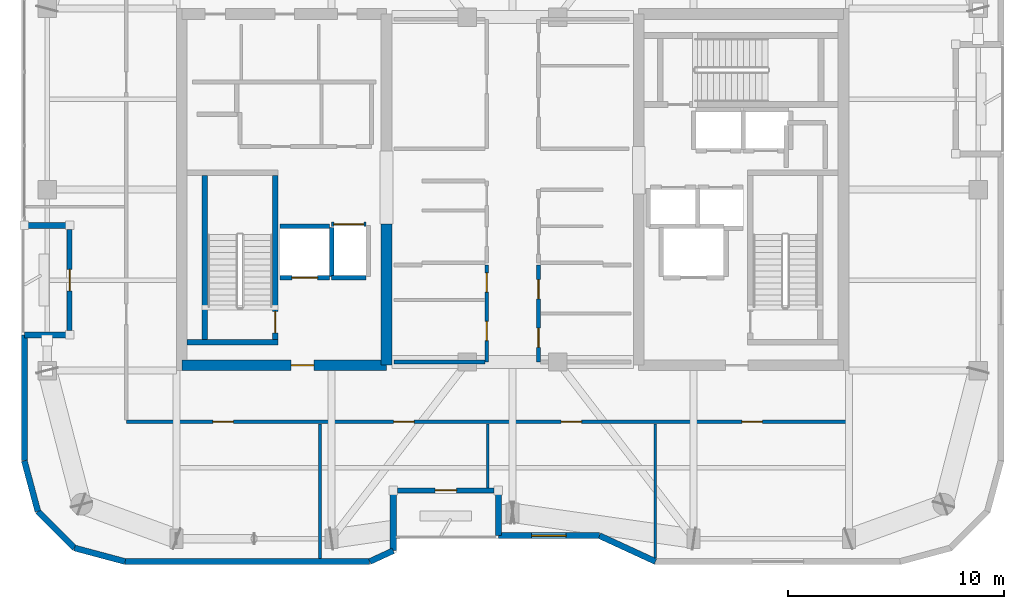
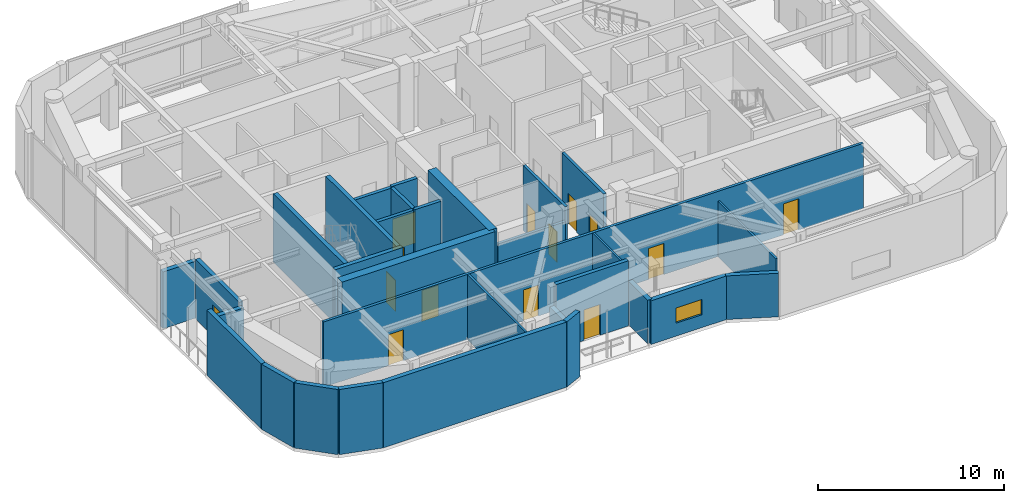
# One storey, part 10 of 16: 31 walls, 14 doors, 1 window, 15 openings.
"""IFC4 building model written with IfcOpenShell, lengths in metres."""

from ifc_helpers import new_model, si_unit, direction, frame, frame_2d, origin, place, context, subcontext, project, spatial, rectangle, extrude, material, layer, layer_set, type_object, element, fill, save


model = new_model("IFC4")

# Units and contexts
model_context = context("Model", 3, precision=1e-05, world=origin(), true_north=direction((0.0, 1.0)))
body_context = subcontext(model_context, "Body", "Model", "MODEL_VIEW")
ifc_project = project(units=[si_unit("LENGTHUNIT", "METRE"), si_unit("AREAUNIT", "SQUARE_METRE"), si_unit("VOLUMEUNIT", "CUBIC_METRE"), si_unit("PLANEANGLEUNIT", "RADIAN"), si_unit("MASSUNIT", "GRAM", prefix="KILO")], contexts=[model_context])

# Site, building, storey
site_placement = place(None, origin())
site = spatial("IfcSite", under=ifc_project, at=site_placement, CompositionType="ELEMENT")
building_placement = place(site_placement, origin())
building = spatial("IfcBuilding", under=site, at=building_placement, Name="Kiyonajd Concourse Tower", CompositionType="ELEMENT")
storey_placement = place(building_placement, frame((0.0, 0.0, 337.5)))
storey = spatial("IfcBuildingStorey", under=building, at=storey_placement, Name="L85", CompositionType="ELEMENT", Elevation=337.5)

# Wall
ifc_material_1 = material(Name="Concrete C60/75", Category="concrete")
ifc_layer_1 = layer(ifc_material_1, 0.5)
ifc_layer_set_1 = layer_set([ifc_layer_1], Name="Concrete C60/75")
wall_type_1 = type_object("IfcWallType", Name="WL-CORE-500", PredefinedType="SHEAR", material=ifc_layer_set_1)
wall_1_placement = place(storey_placement, frame((42.14990234375, 27.85009765625, 0.0), z_axis=(0.0, 0.0, 1.0), x_axis=(0.0, 1.0, 0.0)))
element("IfcWall", 1, at=wall_1_placement, inside=storey, type_object=wall_type_1, Name="L85 West Core Inner South Shear Wall", PredefinedType="SHEAR", context=body_context, shape_type="SweptSolid", body=[
    extrude(rectangle(XDim=6.5498046875, YDim=0.5, at=frame_2d((3.27490234375, 0.0))), origin(), (0.0, 0.0, 1.0), 4.5),
])

# Wall, opening, door
wall_2_placement = place(storey_placement, frame((32.64990234375, 27.85009765625, 0.0), z_axis=(0.0, 0.0, 1.0), x_axis=(1.0, 0.0, 0.0)))
wall_2 = element("IfcWall", 2, at=wall_2_placement, inside=storey, type_object=wall_type_1, Name="L85 West Core South Shear Wall", PredefinedType="SHEAR", context=body_context, shape_type="SweptSolid", body=[
    extrude(rectangle(XDim=9.5, YDim=0.5, at=frame_2d((4.75, 0.0))), origin(), (0.0, 0.0, 1.0), 4.5),
])
opening_1_placement = place(wall_2_placement, frame((5.074951171875, 0.0, 0.0)))
opening_1 = element("IfcOpeningElement", 3, at=opening_1_placement, cuts=wall_2, Name="Opening DF5", PredefinedType="OPENING", context=body_context, shape_type="SweptSolid", body=[
    extrude(rectangle(XDim=1.050048828125, YDim=2.0400390625, at=frame_2d((0.52490234375, 1.02001953125))), frame((0.0, 0.260009765625, 0.0), z_axis=(0.0, -1.0, 0.0), x_axis=(1.0, 0.0, 0.0)), (0.0, 0.0, 1.0), 0.52001953125),
])
ifc_material_2 = material(Name="Brushed Stainless Steel Cab Assembly", Category="steel")
door_type_1 = type_object("IfcDoorType", Name="DR-FD45-1050", OperationType="NOTDEFINED", PredefinedType="DOOR", material=ifc_material_2)
door_1_placement = place(opening_1_placement, origin())
door_1 = element("IfcDoor", 4, at=door_1_placement, inside=storey, type_object=door_type_1, Name="L85 Firefighting Lift Lobby W Smoke Door", OperationType="SINGLE_SWING_LEFT", OverallHeight=2.0400390625, OverallWidth=1.050048828125, PredefinedType="DOOR", context=body_context, shape_type="SweptSolid", body=[
    extrude(rectangle(XDim=1.050048828125, YDim=2.0400390625, at=frame_2d((0.52490234375, 1.02001953125))), frame((0.0, 0.02490234375, 0.0), z_axis=(0.0, -1.0, 0.0), x_axis=(1.0, 0.0, 0.0)), (0.0, 0.0, 1.0), 0.050048828125),
])
fill(opening_1, door_1)

# Walls
ifc_material_3 = material(Name="Precast concrete C50/60", Category="concrete")
ifc_layer_2 = layer(ifc_material_3, 0.280029296875)
ifc_layer_set_2 = layer_set([ifc_layer_2], Name="Precast concrete C50/60")
wall_type_2 = type_object("IfcWallType", Name="WL-EXT-280", PredefinedType="SOLIDWALL", material=ifc_layer_set_2)
wall_3_placement = place(storey_placement, frame((25.968505859375, 21.072509765625, 0.0), z_axis=(0.0, 0.0, 1.0), x_axis=(-0.258751159445, 0.965944013639, 0.0)))
element("IfcWall", 5, at=wall_3_placement, inside=storey, type_object=wall_type_2, Name="L85 Exterior Concrete Frame Wall 00", PredefinedType="SOLIDWALL", context=body_context, shape_type="SweptSolid", body=[
    extrude(rectangle(XDim=2.4287109375, YDim=0.280029296875, at=frame_2d((1.21435546875, 0.0))), origin(), (0.0, 0.0, 1.0), 4.280029296875),
])
wall_4_placement = place(storey_placement, frame((25.340087890625, 23.41845703125, 0.0), z_axis=(0.0, 0.0, 1.0), x_axis=(0.0, 1.0, 0.0)))
element("IfcWall", 6, at=wall_4_placement, inside=storey, type_object=wall_type_2, Name="L85 Exterior Concrete Frame Wall 01", PredefinedType="SOLIDWALL", context=body_context, shape_type="SweptSolid", body=[
    extrude(rectangle(XDim=5.841552734375, YDim=0.280029296875, at=frame_2d((2.9208984375, 0.0))), origin(), (0.0, 0.0, 1.0), 4.280029296875),
])
for number, where, z_axis, x_axis, name in (
    (7, (25.340087890625, 29.260009765625, 0.0), (0.0, 0.0, 1.0), (1.0, 0.0, 0.0), "L85 Exterior Concrete Frame Wall 02"),
    (8, (27.43994140625, 34.340087890625, 0.0), (0.0, 0.0, 1.0), (-1.0, 0.0, 0.0), "L85 Exterior Concrete Frame Wall 04"),
):
    element("IfcWall", number, at=place(storey_placement, frame(where, z_axis=z_axis, x_axis=x_axis)), inside=storey, type_object=wall_type_2, Name=name, PredefinedType="SOLIDWALL", context=body_context, shape_type="SweptSolid", body=[
        extrude(rectangle(XDim=2.099853515625, YDim=0.280029296875, at=frame_2d((1.0498046875, 0.0))), origin(), (0.0, 0.0, 1.0), 3.72607421875),
    ])
wall_5_placement = place(storey_placement, frame((54.630615234375, 18.739990234375, 0.0), z_axis=(0.0, 0.0, 1.0), x_axis=(-0.907956889006, 0.419063584324, 0.0)))
element("IfcWall", 9, at=wall_5_placement, inside=storey, type_object=wall_type_2, Name="L85 Exterior Concrete Frame Wall 29", PredefinedType="SOLIDWALL", context=body_context, shape_type="SweptSolid", body=[
    extrude(rectangle(XDim=2.863525390625, YDim=0.280029296875, at=frame_2d((1.431640625, 0.0))), origin(), (0.0, 0.0, 1.0), 2.864990234375),
])

# Wall, opening, window
wall_6_placement = place(storey_placement, frame((52.03076171875, 19.93994140625, 0.0), z_axis=(0.0, 0.0, 1.0), x_axis=(-1.0, 0.0, 0.0)))
wall_6 = element("IfcWall", 10, at=wall_6_placement, inside=storey, type_object=wall_type_2, Name="L85 Exterior Concrete Frame Wall 30", PredefinedType="SOLIDWALL", context=body_context, shape_type="SweptSolid", body=[
    extrude(rectangle(XDim=4.690673828125, YDim=0.280029296875, at=frame_2d((2.34521484375, 0.0))), origin(), (0.0, 0.0, 1.0), 2.864990234375),
])
opening_2_placement = place(wall_6_placement, frame((1.544921875, 0.0, 0.85009765625)))
opening_2 = element("IfcOpeningElement", 11, at=opening_2_placement, cuts=wall_6, Name="Opening WN6", PredefinedType="OPENING", context=body_context, shape_type="SweptSolid", body=[
    extrude(rectangle(XDim=1.60009765625, YDim=1.0, at=frame_2d((0.800048828125, 0.5))), frame((0.0, 0.14990234375, 0.0), z_axis=(0.0, -1.0, 0.0), x_axis=(1.0, 0.0, 0.0)), (0.0, 0.0, 1.0), 0.300048828125),
])
ifc_material_4 = material(Name="Double Low-E Insulated Glass", Category="glass")
window_type = type_object("IfcWindowType", Name="WN-VIS-1600x1000", PartitioningType="SINGLE_PANEL", PredefinedType="WINDOW", material=ifc_material_4)
window_placement = place(opening_2_placement, origin())
window = element("IfcWindow", 12, at=window_placement, inside=storey, type_object=window_type, Name="L85 Modular Facade Vision Window 30", OverallHeight=1.0, OverallWidth=1.60009765625, PartitioningType="SINGLE_PANEL", PredefinedType="WINDOW", context=body_context, shape_type="SweptSolid", body=[
    extrude(rectangle(XDim=1.60009765625, YDim=1.0, at=frame_2d((0.800048828125, 0.5))), frame((0.0, 0.030029296875, 0.0), z_axis=(0.0, -1.0, 0.0), x_axis=(1.0, 0.0, 0.0)), (0.0, 0.0, 1.0), 0.06005859375),
])
fill(opening_2, window)

# Walls
wall_7_placement = place(storey_placement, frame((47.340087890625, 19.93994140625, 0.0), z_axis=(0.0, 0.0, 1.0), x_axis=(0.0, 1.0, 0.0)))
element("IfcWall", 13, at=wall_7_placement, inside=storey, type_object=wall_type_2, Name="L85 Exterior Concrete Frame Wall 31", PredefinedType="SOLIDWALL", context=body_context, shape_type="SweptSolid", body=[
    extrude(rectangle(XDim=2.10009765625, YDim=0.280029296875, at=frame_2d((1.050048828125, 0.0))), origin(), (0.0, 0.0, 1.0), 2.864990234375),
])
wall_8_placement = place(storey_placement, frame((42.4599609375, 22.0400390625, 0.0), z_axis=(0.0, 0.0, 1.0), x_axis=(0.0, -1.0, 0.0)))
element("IfcWall", 14, at=wall_8_placement, inside=storey, type_object=wall_type_2, Name="L85 Exterior Concrete Frame Wall 33", PredefinedType="SOLIDWALL", context=body_context, shape_type="SweptSolid", body=[
    extrude(rectangle(XDim=2.79638671875, YDim=0.280029296875, at=frame_2d((1.398193359375, 0.0))), origin(), (0.0, 0.0, 1.0), 2.864990234375),
])
wall_9_placement = place(storey_placement, frame((42.4599609375, 19.24365234375, 0.0), z_axis=(0.0, 0.0, 1.0), x_axis=(-0.907893953211, -0.419199916176, 0.0)))
element("IfcWall", 15, at=wall_9_placement, inside=storey, type_object=wall_type_2, Name="L85 Exterior Concrete Frame Wall 34", PredefinedType="SOLIDWALL", context=body_context, shape_type="SweptSolid", body=[
    extrude(rectangle(XDim=1.201416015625, YDim=0.280029296875, at=frame_2d((0.6005859375, 0.0))), origin(), (0.0, 0.0, 1.0), 4.280029296875),
])
wall_10_placement = place(storey_placement, frame((41.369140625, 18.739990234375, 0.0), z_axis=(0.0, 0.0, 1.0), x_axis=(-1.0, 0.0, 0.0)))
element("IfcWall", 16, at=wall_10_placement, inside=storey, type_object=wall_type_2, Name="L85 Exterior Concrete Frame Wall 35", PredefinedType="SOLIDWALL", context=body_context, shape_type="SweptSolid", body=[
    extrude(rectangle(XDim=11.350830078125, YDim=0.280029296875, at=frame_2d((5.67529296875, 0.0))), origin(), (0.0, 0.0, 1.0), 4.280029296875),
])
wall_11_placement = place(storey_placement, frame((30.018310546875, 18.739990234375, 0.0), z_axis=(0.0, 0.0, 1.0), x_axis=(-0.965937282298, 0.25877628691, 0.0)))
element("IfcWall", 17, at=wall_11_placement, inside=storey, type_object=wall_type_2, Name="L85 Exterior Concrete Frame Wall 36", PredefinedType="SOLIDWALL", context=body_context, shape_type="SweptSolid", body=[
    extrude(rectangle(XDim=2.428466796875, YDim=0.280029296875, at=frame_2d((1.21435546875, 0.0))), origin(), (0.0, 0.0, 1.0), 4.280029296875),
])
wall_12_placement = place(storey_placement, frame((27.672607421875, 19.368408203125, 0.0), z_axis=(0.0, 0.0, 1.0), x_axis=(-0.707106781187, 0.707106781187, 0.0)))
element("IfcWall", 18, at=wall_12_placement, inside=storey, type_object=wall_type_2, Name="L85 Exterior Concrete Frame Wall 37", PredefinedType="SOLIDWALL", context=body_context, shape_type="SweptSolid", body=[
    extrude(rectangle(XDim=2.409912109375, YDim=0.280029296875, at=frame_2d((1.205078125, 0.0))), origin(), (0.0, 0.0, 1.0), 4.280029296875),
])

# Wall, opening, door
ifc_layer_3 = layer(ifc_material_3, 0.239990234375)
ifc_layer_set_3 = layer_set([ifc_layer_3], Name="Precast concrete C50/60")
wall_type_3 = type_object("IfcWallType", Name="WL-LOG-240", PredefinedType="SOLIDWALL", material=ifc_layer_set_3)
wall_13_placement = place(storey_placement, frame((27.43994140625, 29.455078125, 0.0), z_axis=(0.0, 0.0, 1.0), x_axis=(0.0, 1.0, 0.0)))
wall_13 = element("IfcWall", 19, at=wall_13_placement, inside=storey, type_object=wall_type_3, Name="L85 Recessed Loggia Thermal Wall LOG-W", PredefinedType="SOLIDWALL", context=body_context, shape_type="SweptSolid", body=[
    extrude(rectangle(XDim=4.68994140625, YDim=0.239990234375, at=frame_2d((2.344970703125, 0.0))), origin(), (0.0, 0.0, 1.0), 3.910888671875),
])
opening_3_placement = place(wall_13_placement, frame((1.844970703125, 0.0, 0.0)))
opening_3 = element("IfcOpeningElement", 20, at=opening_3_placement, cuts=wall_13, Name="Opening DL1", PredefinedType="OPENING", context=body_context, shape_type="SweptSolid", body=[
    extrude(rectangle(XDim=1.0, YDim=2.02001953125, at=frame_2d((0.5, 1.010009765625))), frame((0.0, 0.1298828125, 0.0), z_axis=(0.0, -1.0, 0.0), x_axis=(1.0, 0.0, 0.0)), (0.0, 0.0, 1.0), 0.260009765625),
])
ifc_material_5 = material(Name="Thermally Broken Anodised Aluminium", Category="aluminium")
door_type_2 = type_object("IfcDoorType", Name="DR-LOG-1000", OperationType="NOTDEFINED", PredefinedType="DOOR", material=ifc_material_5)
door_2_placement = place(opening_3_placement, origin())
door_2 = element("IfcDoor", 21, at=door_2_placement, inside=storey, type_object=door_type_2, Name="L85 Engawa Loggia Access Door LOG-W", OperationType="SINGLE_SWING_LEFT", OverallHeight=2.02001953125, OverallWidth=1.0, PredefinedType="DOOR", context=body_context, shape_type="SweptSolid", body=[
    extrude(rectangle(XDim=1.0, YDim=2.02001953125, at=frame_2d((0.5, 1.010009765625))), frame((0.0, 0.02490234375, 0.0), z_axis=(0.0, -1.0, 0.0), x_axis=(1.0, 0.0, 0.0)), (0.0, 0.0, 1.0), 0.050048828125),
])
fill(opening_3, door_2)

wall_14_placement = place(storey_placement, frame((47.14501953125, 22.0400390625, 0.0), z_axis=(0.0, 0.0, 1.0), x_axis=(-1.0, 0.0, 0.0)))
wall_14 = element("IfcWall", 22, at=wall_14_placement, inside=storey, type_object=wall_type_3, Name="L85 Recessed Loggia Thermal Wall LOG-S", PredefinedType="SOLIDWALL", context=body_context, shape_type="SweptSolid", body=[
    extrude(rectangle(XDim=4.489990234375, YDim=0.239990234375, at=frame_2d((2.2451171875, 0.0))), origin(), (0.0, 0.0, 1.0), 4.280029296875),
])
opening_4_placement = place(wall_14_placement, frame((1.7451171875, 0.0, 0.0)))
opening_4 = element("IfcOpeningElement", 23, at=opening_4_placement, cuts=wall_14, Name="Opening DL1", PredefinedType="OPENING", context=body_context, shape_type="SweptSolid", body=[
    extrude(rectangle(XDim=1.0, YDim=2.02001953125, at=frame_2d((0.5, 1.010009765625))), frame((0.0, 0.1298828125, 0.0), z_axis=(0.0, -1.0, 0.0), x_axis=(1.0, 0.0, 0.0)), (0.0, 0.0, 1.0), 0.260009765625),
])
door_3_placement = place(opening_4_placement, origin())
door_3 = element("IfcDoor", 24, at=door_3_placement, inside=storey, type_object=door_type_2, Name="L85 Engawa Loggia Access Door LOG-S", OperationType="SINGLE_SWING_RIGHT", OverallHeight=2.02001953125, OverallWidth=1.0, PredefinedType="DOOR", context=body_context, shape_type="SweptSolid", body=[
    extrude(rectangle(XDim=1.0, YDim=2.02001953125, at=frame_2d((0.5, 1.010009765625))), frame((0.0, 0.02490234375, 0.0), z_axis=(0.0, -1.0, 0.0), x_axis=(1.0, 0.0, 0.0)), (0.0, 0.0, 1.0), 0.050048828125),
])
fill(opening_4, door_3)

# Walls
ifc_material_6 = material(Name="Gypsum Board on Cold-Formed Steel Stud", Category="steel")
ifc_layer_4 = layer(ifc_material_6, 0.125)
ifc_layer_set_4 = layer_set([ifc_layer_4], Name="Gypsum Board on Cold-Formed Steel Stud")
wall_type_4 = type_object("IfcWallType", Name="WL-PART-125", PredefinedType="PARTITIONING", material=ifc_layer_set_4)
wall_15_placement = place(storey_placement, frame((39.06005859375, 18.875, 0.0), z_axis=(0.0, 0.0, 1.0), x_axis=(0.0, 1.0, 0.0)))
element("IfcWall", 25, at=wall_15_placement, inside=storey, type_object=wall_type_4, Name="L85 Interior Partition Wall", PredefinedType="PARTITIONING", context=body_context, shape_type="SweptSolid", body=[
    extrude(rectangle(XDim=6.258056640625, YDim=0.125, at=frame_2d((3.12890625, 0.0))), origin(), (0.0, 0.0, 1.0), 4.280029296875),
])
wall_16_placement = place(storey_placement, frame((46.840087890625, 22.155029296875, 0.0), z_axis=(0.0, 0.0, 1.0), x_axis=(0.0, 1.0, 0.0)))
element("IfcWall", 26, at=wall_16_placement, inside=storey, type_object=wall_type_4, Name="L85 Interior Partition Wall", PredefinedType="PARTITIONING", context=body_context, shape_type="SweptSolid", body=[
    extrude(rectangle(XDim=2.97802734375, YDim=0.125, at=frame_2d((1.489013671875, 0.0))), origin(), (0.0, 0.0, 1.0), 4.280029296875),
])
wall_17_placement = place(storey_placement, frame((54.6201171875, 18.89501953125, 0.0), z_axis=(0.0, 0.0, 1.0), x_axis=(0.0, 1.0, 0.0)))
element("IfcWall", 27, at=wall_17_placement, inside=storey, type_object=wall_type_4, Name="L85 Interior Partition Wall", PredefinedType="PARTITIONING", context=body_context, shape_type="SweptSolid", body=[
    extrude(rectangle(XDim=6.238037109375, YDim=0.125, at=frame_2d((3.119140625, 0.0))), origin(), (0.0, 0.0, 1.0), 3.64306640625),
])

# Wall, opening, door
ifc_layer_5 = layer(ifc_material_6, 0.2099609375)
ifc_layer_set_5 = layer_set([ifc_layer_5], Name="Gypsum Board on Cold-Formed Steel Stud")
wall_type_5 = type_object("IfcWallType", Name="WL-SHAFT-210", PredefinedType="PARTITIONING", material=ifc_layer_set_5)
wall_18_placement = place(storey_placement, frame((37.199951171875, 31.89990234375, 0.0), z_axis=(0.0, 0.0, 1.0), x_axis=(1.0, 0.0, 0.0)))
wall_18 = element("IfcWall", 28, at=wall_18_placement, inside=storey, type_object=wall_type_5, Name="L85 Shaft Enclosure Wall", PredefinedType="PARTITIONING", context=body_context, shape_type="SweptSolid", body=[
    extrude(rectangle(XDim=2.300048828125, YDim=0.2099609375, at=frame_2d((1.14990234375, 0.0))), origin(), (0.0, 0.0, 1.0), 4.280029296875),
])
opening_5_placement = place(wall_18_placement, frame((0.550048828125, 0.0, 0.0)))
opening_5 = element("IfcOpeningElement", 29, at=opening_5_placement, cuts=wall_18, Name="Opening LD2", PredefinedType="OPENING", context=body_context, shape_type="SweptSolid", body=[
    extrude(rectangle(XDim=1.199951171875, YDim=2.0400390625, at=frame_2d((0.60009765625, 1.02001953125))), frame((0.0, 0.114990234375, 0.0), z_axis=(0.0, -1.0, 0.0), x_axis=(1.0, 0.0, 0.0)), (0.0, 0.0, 1.0), 0.22998046875),
])
door_type_3 = type_object("IfcDoorType", Name="DR-LD-1200", OperationType="DOUBLE_DOOR_SLIDING", PredefinedType="DOOR", material=ifc_material_2)
door_4_placement = place(opening_5_placement, origin())
door_4 = element("IfcDoor", 30, at=door_4_placement, inside=storey, type_object=door_type_3, Name="L85 Lift FFL1 Sliding Landing Door", OperationType="DOUBLE_DOOR_SLIDING", OverallHeight=2.0400390625, OverallWidth=1.199951171875, PredefinedType="DOOR", context=body_context, shape_type="SweptSolid", body=[
    extrude(rectangle(XDim=1.199951171875, YDim=2.0400390625, at=frame_2d((0.60009765625, 1.02001953125))), frame((0.0, 0.02490234375, 0.0), z_axis=(0.0, -1.0, 0.0), x_axis=(1.0, 0.0, 0.0)), (0.0, 0.0, 1.0), 0.050048828125),
])
fill(opening_5, door_4)

# Walls
wall_19_placement = place(storey_placement, frame((37.199951171875, 34.300048828125, 0.0), z_axis=(0.0, 0.0, 1.0), x_axis=(1.0, 0.0, 0.0)))
element("IfcWall", 31, at=wall_19_placement, inside=storey, type_object=wall_type_5, Name="L85 Shaft Enclosure Wall", PredefinedType="PARTITIONING", context=body_context, shape_type="SweptSolid", body=[
    extrude(rectangle(XDim=2.300048828125, YDim=0.2099609375, at=frame_2d((1.14990234375, 0.0))), origin(), (0.0, 0.0, 1.0), 4.280029296875),
])
wall_20_placement = place(storey_placement, frame((39.60009765625, 31.9599609375, 0.0), z_axis=(0.0, 0.0, 1.0), x_axis=(0.0, 1.0, 0.0)))
element("IfcWall", 32, at=wall_20_placement, inside=storey, type_object=wall_type_5, Name="L85 Shaft Enclosure Wall", PredefinedType="PARTITIONING", context=body_context, shape_type="SweptSolid", body=[
    extrude(rectangle(XDim=2.280029296875, YDim=0.2099609375, at=frame_2d((1.14013671875, 0.0))), origin(), (0.0, 0.0, 1.0), 4.280029296875),
])

# Wall, opening, door
wall_21_placement = place(storey_placement, frame((39.60009765625, 34.39990234375, 0.0), z_axis=(0.0, 0.0, 1.0), x_axis=(1.0, 0.0, 0.0)))
wall_21 = element("IfcWall", 33, at=wall_21_placement, inside=storey, type_object=wall_type_5, Name="L85 Shaft Enclosure Wall", PredefinedType="PARTITIONING", context=body_context, shape_type="SweptSolid", body=[
    extrude(rectangle(XDim=1.599853515625, YDim=0.2099609375, at=frame_2d((0.7998046875, 0.0))), origin(), (0.0, 0.0, 1.0), 4.280029296875),
])
opening_6_placement = place(wall_21_placement, frame((0.10009765625, 0.0, 0.0)))
opening_6 = element("IfcOpeningElement", 34, at=opening_6_placement, cuts=wall_21, Name="Opening LD3", PredefinedType="OPENING", context=body_context, shape_type="SweptSolid", body=[
    extrude(rectangle(XDim=1.39990234375, YDim=2.06005859375, at=frame_2d((0.699951171875, 1.030029296875))), frame((0.0, 0.114990234375, 0.0), z_axis=(0.0, -1.0, 0.0), x_axis=(1.0, 0.0, 0.0)), (0.0, 0.0, 1.0), 0.22998046875),
])
door_type_4 = type_object("IfcDoorType", Name="DR-LD-1400", OperationType="DOUBLE_DOOR_SLIDING", PredefinedType="DOOR", material=ifc_material_2)
door_5_placement = place(opening_6_placement, origin())
door_5 = element("IfcDoor", 35, at=door_5_placement, inside=storey, type_object=door_type_4, Name="L85 Lift SVL1 Sliding Landing Door", OperationType="DOUBLE_DOOR_SLIDING", OverallHeight=2.06005859375, OverallWidth=1.39990234375, PredefinedType="DOOR", context=body_context, shape_type="SweptSolid", body=[
    extrude(rectangle(XDim=1.39990234375, YDim=2.06005859375, at=frame_2d((0.699951171875, 1.030029296875))), frame((0.0, 0.02490234375, 0.0), z_axis=(0.0, -1.0, 0.0), x_axis=(1.0, 0.0, 0.0)), (0.0, 0.0, 1.0), 0.050048828125),
])
fill(opening_6, door_5)

# Wall
wall_22_placement = place(storey_placement, frame((39.60009765625, 31.89990234375, 0.0), z_axis=(0.0, 0.0, 1.0), x_axis=(1.0, 0.0, 0.0)))
element("IfcWall", 36, at=wall_22_placement, inside=storey, type_object=wall_type_5, Name="L85 Shaft Enclosure Wall", PredefinedType="PARTITIONING", context=body_context, shape_type="SweptSolid", body=[
    extrude(rectangle(XDim=1.599853515625, YDim=0.2099609375, at=frame_2d((0.7998046875, 0.0))), origin(), (0.0, 0.0, 1.0), 4.280029296875),
])

# Wall, openings, doors
ifc_layer_6 = layer(ifc_material_6, 0.169921875)
ifc_layer_set_6 = layer_set([ifc_layer_6], Name="Gypsum Board on Cold-Formed Steel Stud")
wall_type_6 = type_object("IfcWallType", Name="WL-SMK-170", PredefinedType="PARTITIONING", material=ifc_layer_set_6)
wall_23_placement = place(storey_placement, frame((46.800048828125, 28.0, 0.0), z_axis=(0.0, 0.0, 1.0), x_axis=(0.0, 1.0, 0.0)))
wall_23 = element("IfcWall", 37, at=wall_23_placement, inside=storey, type_object=wall_type_6, Name="L85 Interior Partition Wall", PredefinedType="PARTITIONING", context=body_context, shape_type="SweptSolid", body=[
    extrude(rectangle(XDim=4.5, YDim=0.169921875, at=frame_2d((2.25, 0.0))), origin(), (0.0, 0.0, 1.0), 4.280029296875),
])
opening_7_placement = place(wall_23_placement, frame((0.989990234375, 0.0, 0.0)))
opening_7 = element("IfcOpeningElement", 38, at=opening_7_placement, cuts=wall_23, Name="Opening DF4", PredefinedType="OPENING", context=body_context, shape_type="SweptSolid", body=[
    extrude(rectangle(XDim=0.89990234375, YDim=2.02001953125, at=frame_2d((0.449951171875, 1.010009765625))), frame((0.0, 0.094970703125, 0.0), z_axis=(0.0, -1.0, 0.0), x_axis=(1.0, 0.0, 0.0)), (0.0, 0.0, 1.0), 0.18994140625),
])
opening_8_placement = place(wall_23_placement, frame((3.239990234375, 0.0, 0.0)))
opening_8 = element("IfcOpeningElement", 39, at=opening_8_placement, cuts=wall_23, Name="Opening DF4", PredefinedType="OPENING", context=body_context, shape_type="SweptSolid", body=[
    extrude(rectangle(XDim=0.89990234375, YDim=2.02001953125, at=frame_2d((0.449951171875, 1.010009765625))), frame((0.0, 0.094970703125, 0.0), z_axis=(0.0, -1.0, 0.0), x_axis=(1.0, 0.0, 0.0)), (0.0, 0.0, 1.0), 0.18994140625),
])
door_type_5 = type_object("IfcDoorType", Name="DR-FD60-900", OperationType="NOTDEFINED", PredefinedType="DOOR", material=ifc_material_2)
door_6_placement = place(opening_7_placement, origin())
door_6 = element("IfcDoor", 40, at=door_6_placement, inside=storey, type_object=door_type_5, Name="L85 Interior Door", OperationType="SINGLE_SWING_LEFT", OverallHeight=2.02001953125, OverallWidth=0.89990234375, PredefinedType="DOOR", context=body_context, shape_type="SweptSolid", body=[
    extrude(rectangle(XDim=0.89990234375, YDim=2.02001953125, at=frame_2d((0.449951171875, 1.010009765625))), frame((0.0, 0.02490234375, 0.0), z_axis=(0.0, -1.0, 0.0), x_axis=(1.0, 0.0, 0.0)), (0.0, 0.0, 1.0), 0.050048828125),
])
fill(opening_7, door_6)
door_7_placement = place(opening_8_placement, origin())
door_7 = element("IfcDoor", 41, at=door_7_placement, inside=storey, type_object=door_type_5, Name="L85 Interior Door", OperationType="SINGLE_SWING_RIGHT", OverallHeight=2.02001953125, OverallWidth=0.89990234375, PredefinedType="DOOR", context=body_context, shape_type="SweptSolid", body=[
    extrude(rectangle(XDim=0.89990234375, YDim=2.02001953125, at=frame_2d((0.449951171875, 1.010009765625))), frame((0.0, 0.02490234375, 0.0), z_axis=(0.0, -1.0, 0.0), x_axis=(1.0, 0.0, 0.0)), (0.0, 0.0, 1.0), 0.050048828125),
])
fill(opening_8, door_7)

# Wall
wall_24_placement = place(storey_placement, frame((42.5, 28.0, 0.0), z_axis=(0.0, 0.0, 1.0), x_axis=(1.0, 0.0, 0.0)))
element("IfcWall", 42, at=wall_24_placement, inside=storey, type_object=wall_type_6, Name="L85 Interior Partition Wall", PredefinedType="PARTITIONING", context=body_context, shape_type="SweptSolid", body=[
    extrude(rectangle(XDim=4.212890625, YDim=0.169921875, at=frame_2d((2.1064453125, 0.0))), origin(), (0.0, 0.0, 1.0), 3.364990234375),
])

# Wall, openings, doors
wall_25_placement = place(storey_placement, frame((49.199951171875, 28.0, 0.0), z_axis=(0.0, 0.0, 1.0), x_axis=(0.0, 1.0, 0.0)))
wall_25 = element("IfcWall", 43, at=wall_25_placement, inside=storey, type_object=wall_type_6, Name="L85 Interior Partition Wall", PredefinedType="PARTITIONING", context=body_context, shape_type="SweptSolid", body=[
    extrude(rectangle(XDim=4.5, YDim=0.169921875, at=frame_2d((2.25, 0.0))), origin(), (0.0, 0.0, 1.0), 4.280029296875),
])
opening_9_placement = place(wall_25_placement, frame((0.675048828125, 0.0, 0.0)))
opening_9 = element("IfcOpeningElement", 44, at=opening_9_placement, cuts=wall_25, Name="Opening DI2", PredefinedType="OPENING", context=body_context, shape_type="SweptSolid", body=[
    extrude(rectangle(XDim=0.89990234375, YDim=2.02001953125, at=frame_2d((0.449951171875, 1.010009765625))), frame((0.0, 0.094970703125, 0.0), z_axis=(0.0, -1.0, 0.0), x_axis=(1.0, 0.0, 0.0)), (0.0, 0.0, 1.0), 0.18994140625),
])
opening_10_placement = place(wall_25_placement, frame((2.925048828125, 0.0, 0.0)))
opening_10 = element("IfcOpeningElement", 45, at=opening_10_placement, cuts=wall_25, Name="Opening DI2", PredefinedType="OPENING", context=body_context, shape_type="SweptSolid", body=[
    extrude(rectangle(XDim=0.89990234375, YDim=2.02001953125, at=frame_2d((0.449951171875, 1.010009765625))), frame((0.0, 0.094970703125, 0.0), z_axis=(0.0, -1.0, 0.0), x_axis=(1.0, 0.0, 0.0)), (0.0, 0.0, 1.0), 0.18994140625),
])
ifc_material_7 = material(Name="Natural Oak Acoustic Timber Veneer", Category="wood")
door_type_6 = type_object("IfcDoorType", Name="DR-INT-900", OperationType="NOTDEFINED", PredefinedType="DOOR", material=ifc_material_7)
door_8_placement = place(opening_9_placement, origin())
door_8 = element("IfcDoor", 46, at=door_8_placement, inside=storey, type_object=door_type_6, Name="L85 Interior Door", OperationType="SINGLE_SWING_LEFT", OverallHeight=2.02001953125, OverallWidth=0.89990234375, PredefinedType="DOOR", context=body_context, shape_type="SweptSolid", body=[
    extrude(rectangle(XDim=0.89990234375, YDim=2.02001953125, at=frame_2d((0.449951171875, 1.010009765625))), frame((0.0, 0.02490234375, 0.0), z_axis=(0.0, -1.0, 0.0), x_axis=(1.0, 0.0, 0.0)), (0.0, 0.0, 1.0), 0.050048828125),
])
fill(opening_9, door_8)
door_9_placement = place(opening_10_placement, origin())
door_9 = element("IfcDoor", 47, at=door_9_placement, inside=storey, type_object=door_type_6, Name="L85 Interior Door", OperationType="SINGLE_SWING_RIGHT", OverallHeight=2.02001953125, OverallWidth=0.89990234375, PredefinedType="DOOR", context=body_context, shape_type="SweptSolid", body=[
    extrude(rectangle(XDim=0.89990234375, YDim=2.02001953125, at=frame_2d((0.449951171875, 1.010009765625))), frame((0.0, 0.02490234375, 0.0), z_axis=(0.0, -1.0, 0.0), x_axis=(1.0, 0.0, 0.0)), (0.0, 0.0, 1.0), 0.050048828125),
])
fill(opening_10, door_9)

wall_26_placement = place(storey_placement, frame((30.074951171875, 25.219970703125, 0.0), z_axis=(0.0, 0.0, 1.0), x_axis=(1.0, 0.0, 0.0)))
wall_26 = element("IfcWall", 48, at=wall_26_placement, inside=storey, type_object=wall_type_6, Name="L85 Interior Partition Wall", PredefinedType="PARTITIONING", context=body_context, shape_type="SweptSolid", body=[
    extrude(rectangle(XDim=33.525146484375, YDim=0.169921875, at=frame_2d((16.7626953125, 0.0))), origin(), (0.0, 0.0, 1.0), 4.280029296875),
])
opening_11_placement = place(wall_26_placement, frame((4.01806640625, 0.0, 0.0)))
opening_11 = element("IfcOpeningElement", 49, at=opening_11_placement, cuts=wall_26, Name="Opening DI1", PredefinedType="OPENING", context=body_context, shape_type="SweptSolid", body=[
    extrude(rectangle(XDim=0.949951171875, YDim=2.0400390625, at=frame_2d((0.47509765625, 1.02001953125))), frame((0.0, 0.094970703125, 0.0), z_axis=(0.0, -1.0, 0.0), x_axis=(1.0, 0.0, 0.0)), (0.0, 0.0, 1.0), 0.18994140625),
])
opening_12_placement = place(wall_26_placement, frame((12.39990234375, 0.0, 0.0)))
opening_12 = element("IfcOpeningElement", 50, at=opening_12_placement, cuts=wall_26, Name="Opening DI1", PredefinedType="OPENING", context=body_context, shape_type="SweptSolid", body=[
    extrude(rectangle(XDim=0.949951171875, YDim=2.0400390625, at=frame_2d((0.47509765625, 1.02001953125))), frame((0.0, 0.094970703125, 0.0), z_axis=(0.0, -1.0, 0.0), x_axis=(1.0, 0.0, 0.0)), (0.0, 0.0, 1.0), 0.18994140625),
])
opening_13_placement = place(wall_26_placement, frame((20.179931640625, 0.0, 0.0)))
opening_13 = element("IfcOpeningElement", 51, at=opening_13_placement, cuts=wall_26, Name="Opening DI1", PredefinedType="OPENING", context=body_context, shape_type="SweptSolid", body=[
    extrude(rectangle(XDim=0.949951171875, YDim=2.0400390625, at=frame_2d((0.47509765625, 1.02001953125))), frame((0.0, 0.094970703125, 0.0), z_axis=(0.0, -1.0, 0.0), x_axis=(1.0, 0.0, 0.0)), (0.0, 0.0, 1.0), 0.18994140625),
])
opening_14_placement = place(wall_26_placement, frame((28.56005859375, 0.0, 0.0)))
opening_14 = element("IfcOpeningElement", 52, at=opening_14_placement, cuts=wall_26, Name="Opening DI1", PredefinedType="OPENING", context=body_context, shape_type="SweptSolid", body=[
    extrude(rectangle(XDim=0.949951171875, YDim=2.0400390625, at=frame_2d((0.47509765625, 1.02001953125))), frame((0.0, 0.094970703125, 0.0), z_axis=(0.0, -1.0, 0.0), x_axis=(1.0, 0.0, 0.0)), (0.0, 0.0, 1.0), 0.18994140625),
])
door_type_7 = type_object("IfcDoorType", Name="DR-INT-950", OperationType="NOTDEFINED", PredefinedType="DOOR", material=ifc_material_7)
door_10_placement = place(opening_11_placement, origin())
door_10 = element("IfcDoor", 53, at=door_10_placement, inside=storey, type_object=door_type_7, Name="L85 Interior Door", OperationType="SINGLE_SWING_RIGHT", OverallHeight=2.0400390625, OverallWidth=0.949951171875, PredefinedType="DOOR", context=body_context, shape_type="SweptSolid", body=[
    extrude(rectangle(XDim=0.949951171875, YDim=2.0400390625, at=frame_2d((0.47509765625, 1.02001953125))), frame((0.0, 0.02490234375, 0.0), z_axis=(0.0, -1.0, 0.0), x_axis=(1.0, 0.0, 0.0)), (0.0, 0.0, 1.0), 0.050048828125),
])
fill(opening_11, door_10)
door_11_placement = place(opening_12_placement, origin())
door_11 = element("IfcDoor", 54, at=door_11_placement, inside=storey, type_object=door_type_7, Name="L85 Interior Door", OperationType="SINGLE_SWING_LEFT", OverallHeight=2.0400390625, OverallWidth=0.949951171875, PredefinedType="DOOR", context=body_context, shape_type="SweptSolid", body=[
    extrude(rectangle(XDim=0.949951171875, YDim=2.0400390625, at=frame_2d((0.47509765625, 1.02001953125))), frame((0.0, 0.02490234375, 0.0), z_axis=(0.0, -1.0, 0.0), x_axis=(1.0, 0.0, 0.0)), (0.0, 0.0, 1.0), 0.050048828125),
])
fill(opening_12, door_11)
door_12_placement = place(opening_13_placement, origin())
door_12 = element("IfcDoor", 55, at=door_12_placement, inside=storey, type_object=door_type_7, Name="L85 Interior Door", OperationType="SINGLE_SWING_RIGHT", OverallHeight=2.0400390625, OverallWidth=0.949951171875, PredefinedType="DOOR", context=body_context, shape_type="SweptSolid", body=[
    extrude(rectangle(XDim=0.949951171875, YDim=2.0400390625, at=frame_2d((0.47509765625, 1.02001953125))), frame((0.0, 0.02490234375, 0.0), z_axis=(0.0, -1.0, 0.0), x_axis=(1.0, 0.0, 0.0)), (0.0, 0.0, 1.0), 0.050048828125),
])
fill(opening_13, door_12)
door_13_placement = place(opening_14_placement, origin())
door_13 = element("IfcDoor", 56, at=door_13_placement, inside=storey, type_object=door_type_7, Name="L85 Interior Door", OperationType="SINGLE_SWING_LEFT", OverallHeight=2.0400390625, OverallWidth=0.949951171875, PredefinedType="DOOR", context=body_context, shape_type="SweptSolid", body=[
    extrude(rectangle(XDim=0.949951171875, YDim=2.0400390625, at=frame_2d((0.47509765625, 1.02001953125))), frame((0.0, 0.02490234375, 0.0), z_axis=(0.0, -1.0, 0.0), x_axis=(1.0, 0.0, 0.0)), (0.0, 0.0, 1.0), 0.050048828125),
])
fill(opening_14, door_13)

# Walls
ifc_material_8 = material(Name="Concrete C50/60", Category="concrete")
ifc_layer_7 = layer(ifc_material_8, 0.260009765625)
ifc_layer_set_7 = layer_set([ifc_layer_7], Name="Concrete C50/60")
wall_type_7 = type_object("IfcWallType", Name="WL-STAIR-260", PredefinedType="SHEAR", material=ifc_layer_set_7)
wall_27_placement = place(storey_placement, frame((32.89990234375, 28.919921875, 0.0), z_axis=(0.0, 0.0, 1.0), x_axis=(1.0, 0.0, 0.0)))
element("IfcWall", 57, at=wall_27_placement, inside=storey, type_object=wall_type_7, Name="L85 Stair ST1 Structural South Wall", PredefinedType="SHEAR", context=body_context, shape_type="SweptSolid", body=[
    extrude(rectangle(XDim=4.210205078125, YDim=0.260009765625, at=frame_2d((2.10498046875, 0.0))), origin(), (0.0, 0.0, 1.0), 4.5),
])
wall_28_placement = place(storey_placement, frame((33.719970703125, 29.050048828125, 0.0), z_axis=(0.0, 0.0, 1.0), x_axis=(0.0, 1.0, 0.0)))
element("IfcWall", 58, at=wall_28_placement, inside=storey, type_object=wall_type_7, Name="L85 Stair ST1 Structural West Wall", PredefinedType="SHEAR", context=body_context, shape_type="SweptSolid", body=[
    extrude(rectangle(XDim=7.599853515625, YDim=0.260009765625, at=frame_2d((3.7998046875, 0.0))), origin(), (0.0, 0.0, 1.0), 4.5),
])

# Wall, opening, door
wall_29_placement = place(storey_placement, frame((36.97998046875, 29.050048828125, 0.0), z_axis=(0.0, 0.0, 1.0), x_axis=(0.0, 1.0, 0.0)))
wall_29 = element("IfcWall", 59, at=wall_29_placement, inside=storey, type_object=wall_type_7, Name="L85 Stair ST1 Structural East Wall", PredefinedType="SHEAR", context=body_context, shape_type="SweptSolid", body=[
    extrude(rectangle(XDim=7.599853515625, YDim=0.260009765625, at=frame_2d((3.7998046875, 0.0))), origin(), (0.0, 0.0, 1.0), 4.5),
])
opening_15_placement = place(wall_29_placement, frame((0.300048828125, 0.0, 0.0)))
opening_15 = element("IfcOpeningElement", 60, at=opening_15_placement, cuts=wall_29, Name="Opening DF1", PredefinedType="OPENING", context=body_context, shape_type="SweptSolid", body=[
    extrude(rectangle(XDim=1.0, YDim=2.0400390625, at=frame_2d((0.5, 1.02001953125))), frame((0.0, 0.139892578125, 0.0), z_axis=(0.0, -1.0, 0.0), x_axis=(1.0, 0.0, 0.0)), (0.0, 0.0, 1.0), 0.280029296875),
])
door_type_8 = type_object("IfcDoorType", Name="DR-FD90-1000", OperationType="NOTDEFINED", PredefinedType="DOOR", material=ifc_material_2)
door_14_placement = place(opening_15_placement, origin())
door_14 = element("IfcDoor", 61, at=door_14_placement, inside=storey, type_object=door_type_8, Name="L85 Stair ST1 FSAE Door", OperationType="SINGLE_SWING_LEFT", OverallHeight=2.0400390625, OverallWidth=1.0, PredefinedType="DOOR", context=body_context, shape_type="SweptSolid", body=[
    extrude(rectangle(XDim=1.0, YDim=2.0400390625, at=frame_2d((0.5, 1.02001953125))), frame((0.0, 0.02490234375, 0.0), z_axis=(0.0, -1.0, 0.0), x_axis=(1.0, 0.0, 0.0)), (0.0, 0.0, 1.0), 0.050048828125),
])
fill(opening_15, door_14)

save(model, "model.ifc")
